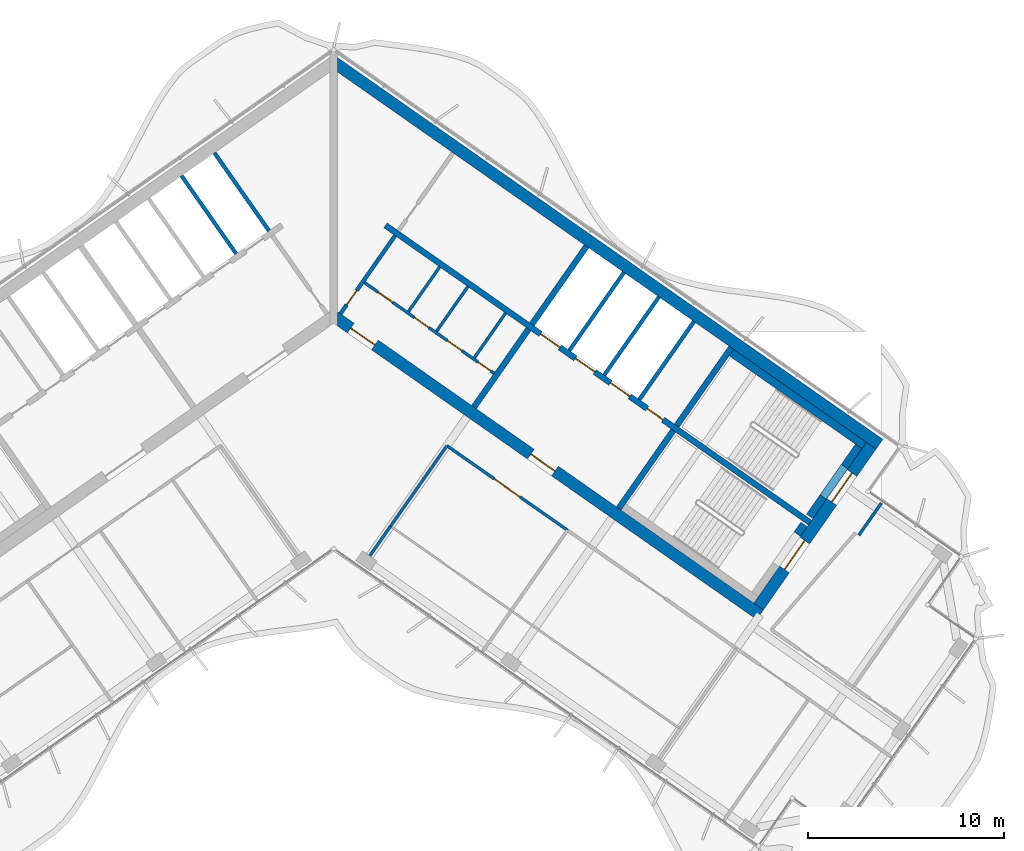
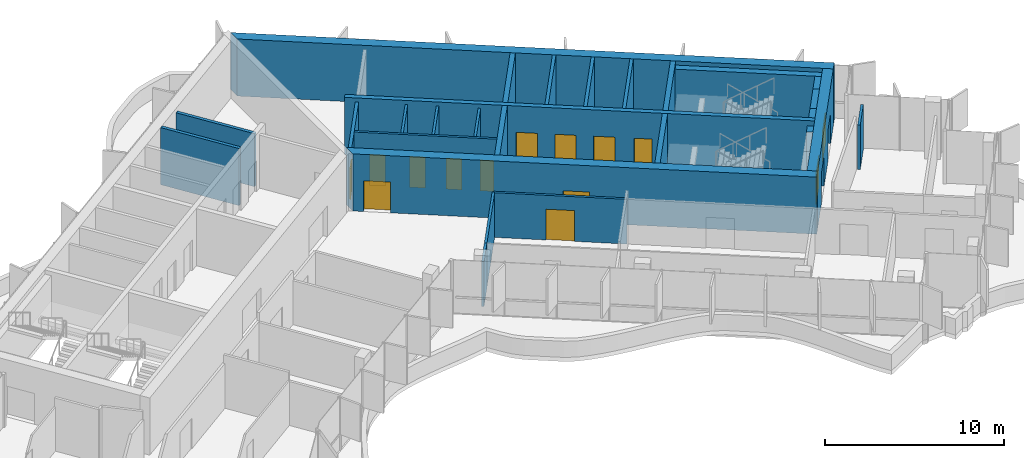
# One storey, part 13 of 20: 27 walls, 14 doors, 14 openings.
"""IFC4 building model written with IfcOpenShell, lengths in metres."""

from ifc_helpers import new_model, si_unit, direction, frame, frame_2d, origin, place, context, subcontext, project, spatial, polyline, rectangle, outline, extrude, material, layer, layer_set, type_object, element, fill, save


model = new_model("IFC4")

# Units and contexts
model_context = context("Model", 3, precision=1e-05, world=origin(), true_north=direction((0.0, 1.0)))
body_context = subcontext(model_context, "Body", "Model", "MODEL_VIEW")
ifc_project = project(units=[si_unit("LENGTHUNIT", "METRE"), si_unit("AREAUNIT", "SQUARE_METRE"), si_unit("VOLUMEUNIT", "CUBIC_METRE"), si_unit("PLANEANGLEUNIT", "RADIAN"), si_unit("MASSUNIT", "GRAM", prefix="KILO")], contexts=[model_context])

# Site, building, storey
site_placement = place(None, origin())
site = spatial("IfcSite", under=ifc_project, at=site_placement, CompositionType="ELEMENT")
building_placement = place(site_placement, origin())
building = spatial("IfcBuilding", under=site, at=building_placement, Name="Tel Ilan Convention Tower", CompositionType="ELEMENT")
storey_placement = place(building_placement, frame((0.0, 0.0, 229.300048828125)))
storey = spatial("IfcBuildingStorey", under=building, at=storey_placement, Name="L53", CompositionType="ELEMENT", Elevation=229.300048828125)

# Wall, openings, doors
ifc_material_1 = material(Name="Gypsum Plasterboard on Steel Stud", Category="steel")
ifc_layer_1 = layer(ifc_material_1, 0.14990234375)
ifc_layer_set_1 = layer_set([ifc_layer_1], Name="Core Room Partition Wall 150 mm EI 60")
wall_type_1 = type_object("IfcWallType", Name="Core Room Partition Wall 150 mm EI 60", PredefinedType="PARTITIONING", material=ifc_layer_set_1)
wall_1_placement = place(storey_placement, frame((1.572998046875, 0.851806640625, 0.0), z_axis=(0.0, 0.0, 1.0), x_axis=(0.819160673808, -0.573564111924, 0.0)))
wall_1 = element("IfcWall", 1, at=wall_1_placement, inside=storey, type_object=wall_type_1, Name="L53 core wall wc-h1", PredefinedType="PARTITIONING", context=body_context, shape_type="SweptSolid", body=[
    extrude(rectangle(XDim=8.050048828125, YDim=0.14990234375, at=frame_2d((4.02490234375, 0.0))), origin(), (0.0, 0.0, 1.0), 3.619873046875),
])
opening_1_placement = place(wall_1_placement, frame((0.85009765625, 0.0, 0.0)))
opening_1 = element("IfcOpeningElement", 2, at=opening_1_placement, cuts=wall_1, Name="Opening CD4214", PredefinedType="OPENING", context=body_context, shape_type="SweptSolid", body=[
    extrude(rectangle(XDim=0.89990234375, YDim=2.10009765625, at=frame_2d((0.449951171875, 1.050048828125))), frame((0.0, 0.0849609375, 0.0), z_axis=(0.0, -1.0, 0.0), x_axis=(1.0, 0.0, 0.0)), (0.0, 0.0, 1.0), 0.169921875),
])
opening_2_placement = place(wall_1_placement, frame((3.10009765625, 0.0, 0.0)))
opening_2 = element("IfcOpeningElement", 3, at=opening_2_placement, cuts=wall_1, Name="Opening CD4211", PredefinedType="OPENING", context=body_context, shape_type="SweptSolid", body=[
    extrude(rectangle(XDim=0.89990234375, YDim=2.10009765625, at=frame_2d((0.449951171875, 1.050048828125))), frame((0.0, 0.0849609375, 0.0), z_axis=(0.0, -1.0, 0.0), x_axis=(1.0, 0.0, 0.0)), (0.0, 0.0, 1.0), 0.169921875),
])
opening_3_placement = place(wall_1_placement, frame((5.14990234375, 0.0, 0.0)))
opening_3 = element("IfcOpeningElement", 4, at=opening_3_placement, cuts=wall_1, Name="Opening CD4213", PredefinedType="OPENING", context=body_context, shape_type="SweptSolid", body=[
    extrude(rectangle(XDim=0.89990234375, YDim=2.10009765625, at=frame_2d((0.449951171875, 1.050048828125))), frame((0.0, 0.0849609375, 0.0), z_axis=(0.0, -1.0, 0.0), x_axis=(1.0, 0.0, 0.0)), (0.0, 0.0, 1.0), 0.169921875),
])
opening_4_placement = place(wall_1_placement, frame((7.050048828125, 0.0, 0.0)))
opening_4 = element("IfcOpeningElement", 5, at=opening_4_placement, cuts=wall_1, Name="Opening CD4212", PredefinedType="OPENING", context=body_context, shape_type="SweptSolid", body=[
    extrude(rectangle(XDim=0.800048828125, YDim=2.10009765625, at=frame_2d((0.39990234375, 1.050048828125))), frame((0.0, 0.0849609375, 0.0), z_axis=(0.0, -1.0, 0.0), x_axis=(1.0, 0.0, 0.0)), (0.0, 0.0, 1.0), 0.169921875),
])
ifc_material_2 = material(Name="Galvanised Steel Door Leaf", Category="steel")
door_type_1 = type_object("IfcDoorType", Name="Store Door 800 x 2100 FD60", OperationType="NOTDEFINED", PredefinedType="DOOR", material=ifc_material_2)
door_1_placement = place(opening_4_placement, origin())
door_1 = element("IfcDoor", 6, at=door_1_placement, inside=storey, type_object=door_type_1, Name="Cleaner's store door", OperationType="SINGLE_SWING_RIGHT", OverallHeight=2.10009765625, OverallWidth=0.800048828125, PredefinedType="DOOR", context=body_context, shape_type="SweptSolid", body=[
    extrude(rectangle(XDim=0.800048828125, YDim=2.10009765625, at=frame_2d((0.39990234375, 1.050048828125))), frame((0.0, 0.02490234375, 0.0), z_axis=(0.0, -1.0, 0.0), x_axis=(1.0, 0.0, 0.0)), (0.0, 0.0, 1.0), 0.050048828125),
])
fill(opening_4, door_1)
ifc_material_3 = material(Name="Laminated Timber Door Leaf", Category="wood")
door_type_2 = type_object("IfcDoorType", Name="Toilet Door 900 x 2100 FD30S", OperationType="NOTDEFINED", PredefinedType="DOOR", material=ifc_material_3)
door_2_placement = place(opening_1_placement, origin())
door_2 = element("IfcDoor", 7, at=door_2_placement, inside=storey, type_object=door_type_2, Name="Women's WC door", OperationType="SINGLE_SWING_RIGHT", OverallHeight=2.10009765625, OverallWidth=0.89990234375, PredefinedType="DOOR", context=body_context, shape_type="SweptSolid", body=[
    extrude(rectangle(XDim=0.89990234375, YDim=2.10009765625, at=frame_2d((0.449951171875, 1.050048828125))), frame((0.0, 0.02490234375, 0.0), z_axis=(0.0, -1.0, 0.0), x_axis=(1.0, 0.0, 0.0)), (0.0, 0.0, 1.0), 0.050048828125),
])
fill(opening_1, door_2)
door_3_placement = place(opening_2_placement, origin())
door_3 = element("IfcDoor", 8, at=door_3_placement, inside=storey, type_object=door_type_2, Name="Accessible WC door", OperationType="SINGLE_SWING_RIGHT", OverallHeight=2.10009765625, OverallWidth=0.89990234375, PredefinedType="DOOR", context=body_context, shape_type="SweptSolid", body=[
    extrude(rectangle(XDim=0.89990234375, YDim=2.10009765625, at=frame_2d((0.449951171875, 1.050048828125))), frame((0.0, 0.02490234375, 0.0), z_axis=(0.0, -1.0, 0.0), x_axis=(1.0, 0.0, 0.0)), (0.0, 0.0, 1.0), 0.050048828125),
])
fill(opening_2, door_3)
door_4_placement = place(opening_3_placement, origin())
door_4 = element("IfcDoor", 9, at=door_4_placement, inside=storey, type_object=door_type_2, Name="Men's WC door", OperationType="SINGLE_SWING_RIGHT", OverallHeight=2.10009765625, OverallWidth=0.89990234375, PredefinedType="DOOR", context=body_context, shape_type="SweptSolid", body=[
    extrude(rectangle(XDim=0.89990234375, YDim=2.10009765625, at=frame_2d((0.449951171875, 1.050048828125))), frame((0.0, 0.02490234375, 0.0), z_axis=(0.0, -1.0, 0.0), x_axis=(1.0, 0.0, 0.0)), (0.0, 0.0, 1.0), 0.050048828125),
])
fill(opening_3, door_4)

# Walls
wall_2_placement = place(storey_placement, frame((3.807373046875, -0.62109375, 0.0), z_axis=(0.0, 0.0, 1.0), x_axis=(0.573539102583, 0.819178184407, 0.0)))
element("IfcWall", 10, at=wall_2_placement, inside=storey, type_object=wall_type_1, Name="L53 core wall wc-v0", PredefinedType="PARTITIONING", context=body_context, shape_type="SweptSolid", body=[
    extrude(rectangle(XDim=2.77490234375, YDim=0.14990234375, at=frame_2d((1.387451171875, 0.0))), origin(), (0.0, 0.0, 1.0), 3.619873046875),
])
for number, where, z_axis, x_axis, name in (
    (11, (5.24072265625, -1.625, 0.0), (0.0, 0.0, 1.0), (0.573598137089, 0.81913684884, 0.0), "L53 core wall wc-v1"),
    (12, (7.165771484375, -2.972900390625, 0.0), (0.0, 0.0, 1.0), (0.573598137089, 0.81913684884, 0.0), "L53 core wall wc-v2"),
):
    element("IfcWall", number, at=place(storey_placement, frame(where, z_axis=z_axis, x_axis=x_axis)), inside=storey, type_object=wall_type_1, Name=name, PredefinedType="PARTITIONING", context=body_context, shape_type="SweptSolid", body=[
        extrude(rectangle(XDim=2.775146484375, YDim=0.14990234375, at=frame_2d((1.3876953125, 0.0))), origin(), (0.0, 0.0, 1.0), 3.619873046875),
    ])
ifc_material_4 = material(Name="Concrete C30/37", Category="concrete")
ifc_layer_2 = layer(ifc_material_4, 0.199951171875)
ifc_layer_set_2 = layer_set([ifc_layer_2], Name="Core Service Room Wall 200 mm C30/37")
wall_type_2 = type_object("IfcWallType", Name="Core Service Room Wall 200 mm C30/37", PredefinedType="SOLIDWALL", material=ifc_layer_set_2)
wall_3_placement = place(storey_placement, frame((-3.2978515625, 3.489501953125, 0.0), z_axis=(0.0, 0.0, 1.0), x_axis=(-0.573560315113, 0.819163332265, 0.0)))
element("IfcWall", 13, at=wall_3_placement, inside=storey, type_object=wall_type_2, Name="L53 core wall apex-W-b", PredefinedType="SOLIDWALL", context=body_context, shape_type="SweptSolid", body=[
    extrude(rectangle(XDim=4.849853515625, YDim=0.199951171875, at=frame_2d((2.4248046875, 0.0))), origin(), (0.0, 0.0, 1.0), 3.619873046875),
])

# Wall, opening, door
wall_4_placement = place(storey_placement, frame((0.343994140625, -0.729248046875, 0.0), z_axis=(0.0, 0.0, 1.0), x_axis=(0.573560315113, 0.819163332265, 0.0)))
wall_4 = element("IfcWall", 14, at=wall_4_placement, inside=storey, type_object=wall_type_2, Name="L53 core wall apex-E", PredefinedType="SOLIDWALL", context=body_context, shape_type="SweptSolid", body=[
    extrude(rectangle(XDim=4.849853515625, YDim=0.199951171875, at=frame_2d((2.4248046875, 0.0))), origin(), (0.0, 0.0, 1.0), 3.619873046875),
])
opening_5_placement = place(wall_4_placement, frame((0.550048828125, 0.0, 0.0)))
opening_5 = element("IfcOpeningElement", 15, at=opening_5_placement, cuts=wall_4, Name="Opening CD4201", PredefinedType="OPENING", context=body_context, shape_type="SweptSolid", body=[
    extrude(rectangle(XDim=0.89990234375, YDim=2.10009765625, at=frame_2d((0.449951171875, 1.050048828125))), frame((0.0, 0.10986328125, 0.0), z_axis=(0.0, -1.0, 0.0), x_axis=(1.0, 0.0, 0.0)), (0.0, 0.0, 1.0), 0.219970703125),
])
ifc_material_5 = material(Name="Galvanised Steel Door Leaf", Category="steel")
door_type_3 = type_object("IfcDoorType", Name="Service Room Door 900 x 2100 FD60", OperationType="NOTDEFINED", PredefinedType="DOOR", material=ifc_material_5)
door_5_placement = place(opening_5_placement, origin())
door_5 = element("IfcDoor", 16, at=door_5_placement, inside=storey, type_object=door_type_3, Name="Data Room door", OperationType="SINGLE_SWING_RIGHT", OverallHeight=2.10009765625, OverallWidth=0.89990234375, PredefinedType="DOOR", context=body_context, shape_type="SweptSolid", body=[
    extrude(rectangle(XDim=0.89990234375, YDim=2.10009765625, at=frame_2d((0.449951171875, 1.050048828125))), frame((0.0, 0.02490234375, 0.0), z_axis=(0.0, -1.0, 0.0), x_axis=(1.0, 0.0, 0.0)), (0.0, 0.0, 1.0), 0.050048828125),
])
fill(opening_5, door_5)

# Walls
ifc_material_6 = material(Name="Concrete C40/50", Category="concrete")
ifc_layer_3 = layer(ifc_material_6, 0.300048828125)
ifc_layer_set_3 = layer_set([ifc_layer_3], Name="Core Shear Wall 300 mm C40/50")
wall_type_3 = type_object("IfcWallType", Name="Core Shear Wall 300 mm C40/50", PredefinedType="SHEAR", material=ifc_layer_set_3)
wall_5_placement = place(storey_placement, frame((7.142822265625, -5.48974609375, 0.0), z_axis=(0.0, 0.0, 1.0), x_axis=(0.573617744349, 0.819123118565, 0.0)))
element("IfcWall", 17, at=wall_5_placement, inside=storey, type_object=wall_type_3, Name="L53 core wall E-cross1-1", PredefinedType="SHEAR", context=body_context, shape_type="SweptSolid", body=[
    extrude(outline(polyline([(0.0, 0.14990234375), (0.0, -0.150146484375), (4.85009765625, -0.14990234375), (4.85009765625, 0.150146484375), (0.0, 0.14990234375)])), origin(), (0.0, 0.0, 1.0), 3.89990234375),
])
wall_6_placement = place(storey_placement, frame((10.096923828125, -1.271240234375, 0.0), z_axis=(0.0, 0.0, 1.0), x_axis=(0.573560315113, 0.819163332265, 0.0)))
element("IfcWall", 18, at=wall_6_placement, inside=storey, type_object=wall_type_3, Name="L53 core wall E-cross1-2", PredefinedType="SHEAR", context=body_context, shape_type="SweptSolid", body=[
    extrude(outline(polyline([(4.849853515625, -0.150146484375), (4.849853515625, 0.14990234375), (0.0, 0.150146484375), (0.0, -0.14990234375), (4.849853515625, -0.150146484375)])), origin(), (0.0, 0.0, 1.0), 3.89990234375),
])
wall_7_placement = place(storey_placement, frame((14.515380859375, -10.652099609375, 0.0), z_axis=(0.0, 0.0, 1.0), x_axis=(0.573560315113, 0.819163332265, 0.0)))
element("IfcWall", 19, at=wall_7_placement, inside=storey, type_object=wall_type_3, Name="L53 core wall E-cross2-1", PredefinedType="SHEAR", context=body_context, shape_type="SweptSolid", body=[
    extrude(outline(polyline([(0.0, 0.150146484375), (0.0, -0.14990234375), (4.85009765625, -0.14990234375), (4.85009765625, 0.14990234375), (0.0, 0.150146484375)])), origin(), (0.0, 0.0, 1.0), 3.89990234375),
])
wall_8_placement = place(storey_placement, frame((17.46923828125, -6.433349609375, 0.0), z_axis=(0.0, 0.0, 1.0), x_axis=(0.573594092424, 0.81913968109, 0.0)))
element("IfcWall", 20, at=wall_8_placement, inside=storey, type_object=wall_type_3, Name="L53 core wall E-cross2-2", PredefinedType="SHEAR", context=body_context, shape_type="SweptSolid", body=[
    extrude(outline(polyline([(4.849853515625, -0.14990234375), (4.849853515625, 0.150146484375), (0.0, 0.14990234375), (0.0, -0.14990234375), (4.849853515625, -0.14990234375)])), origin(), (0.0, 0.0, 1.0), 3.89990234375),
])

# Wall, openings, doors
wall_9_placement = place(storey_placement, frame((2.638427734375, 3.76806640625, 0.0), z_axis=(0.0, 0.0, 1.0), x_axis=(0.819155014212, -0.573572194837, 0.0)))
wall_9 = element("IfcWall", 21, at=wall_9_placement, inside=storey, type_object=wall_type_3, Name="L53 core wall E-spine", PredefinedType="SHEAR", context=body_context, shape_type="SweptSolid", body=[
    extrude(outline(polyline([(0.0, 0.150146484375), (0.0, -0.14990234375), (26.39990234375, -0.150146484375), (26.39990234375, 0.14990234375), (0.0, 0.150146484375)])), origin(), (0.0, 0.0, 1.0), 3.89990234375),
])
opening_6_placement = place(wall_9_placement, frame((9.637451171875, 0.0, 0.0)))
opening_6 = element("IfcOpeningElement", 22, at=opening_6_placement, cuts=wall_9, Name="Opening LD4201", PredefinedType="OPENING", context=body_context, shape_type="SweptSolid", body=[
    extrude(rectangle(XDim=1.199951171875, YDim=2.10009765625, at=frame_2d((0.60009765625, 1.050048828125))), frame((0.0, 0.159912109375, 0.0), z_axis=(0.0, -1.0, 0.0), x_axis=(1.0, 0.0, 0.0)), (0.0, 0.0, 1.0), 0.320068359375),
])
opening_7_placement = place(wall_9_placement, frame((11.8125, 0.0, 0.0)))
opening_7 = element("IfcOpeningElement", 23, at=opening_7_placement, cuts=wall_9, Name="Opening LD4202", PredefinedType="OPENING", context=body_context, shape_type="SweptSolid", body=[
    extrude(rectangle(XDim=1.199951171875, YDim=2.10009765625, at=frame_2d((0.60009765625, 1.050048828125))), frame((0.0, 0.159912109375, 0.0), z_axis=(0.0, -1.0, 0.0), x_axis=(1.0, 0.0, 0.0)), (0.0, 0.0, 1.0), 0.320068359375),
])
opening_8_placement = place(wall_9_placement, frame((13.987548828125, 0.0, 0.0)))
opening_8 = element("IfcOpeningElement", 24, at=opening_8_placement, cuts=wall_9, Name="Opening LD4203", PredefinedType="OPENING", context=body_context, shape_type="SweptSolid", body=[
    extrude(rectangle(XDim=1.199951171875, YDim=2.10009765625, at=frame_2d((0.60009765625, 1.050048828125))), frame((0.0, 0.159912109375, 0.0), z_axis=(0.0, -1.0, 0.0), x_axis=(1.0, 0.0, 0.0)), (0.0, 0.0, 1.0), 0.320068359375),
])
opening_9_placement = place(wall_9_placement, frame((16.262451171875, 0.0, 0.0)))
opening_9 = element("IfcOpeningElement", 25, at=opening_9_placement, cuts=wall_9, Name="Opening CD4208", PredefinedType="OPENING", context=body_context, shape_type="SweptSolid", body=[
    extrude(rectangle(XDim=1.0, YDim=2.10009765625, at=frame_2d((0.5, 1.050048828125))), frame((0.0, 0.159912109375, 0.0), z_axis=(0.0, -1.0, 0.0), x_axis=(1.0, 0.0, 0.0)), (0.0, 0.0, 1.0), 0.320068359375),
])
ifc_material_7 = material(Name="Stainless Steel Sliding Door Leaf", Category="steel")
door_type_4 = type_object("IfcDoorType", Name="Lift Landing Door 1200 x 2100 FD120", OperationType="NOTDEFINED", PredefinedType="DOOR", material=ifc_material_7)
door_6_placement = place(opening_6_placement, origin())
door_6 = element("IfcDoor", 26, at=door_6_placement, inside=storey, type_object=door_type_4, Name="Lift FL1 landing door", OperationType="SLIDING_TO_LEFT", OverallHeight=2.10009765625, OverallWidth=1.199951171875, PredefinedType="DOOR", context=body_context, shape_type="SweptSolid", body=[
    extrude(rectangle(XDim=1.199951171875, YDim=2.10009765625, at=frame_2d((0.60009765625, 1.050048828125))), frame((0.0, 0.02490234375, 0.0), z_axis=(0.0, -1.0, 0.0), x_axis=(1.0, 0.0, 0.0)), (0.0, 0.0, 1.0), 0.050048828125),
])
fill(opening_6, door_6)
door_7_placement = place(opening_7_placement, origin())
door_7 = element("IfcDoor", 27, at=door_7_placement, inside=storey, type_object=door_type_4, Name="Lift FL2 landing door", OperationType="SLIDING_TO_RIGHT", OverallHeight=2.10009765625, OverallWidth=1.199951171875, PredefinedType="DOOR", context=body_context, shape_type="SweptSolid", body=[
    extrude(rectangle(XDim=1.199951171875, YDim=2.10009765625, at=frame_2d((0.60009765625, 1.050048828125))), frame((0.0, 0.02490234375, 0.0), z_axis=(0.0, -1.0, 0.0), x_axis=(1.0, 0.0, 0.0)), (0.0, 0.0, 1.0), 0.050048828125),
])
fill(opening_7, door_7)
door_8_placement = place(opening_8_placement, origin())
door_8 = element("IfcDoor", 28, at=door_8_placement, inside=storey, type_object=door_type_4, Name="Lift FL3 landing door", OperationType="SLIDING_TO_LEFT", OverallHeight=2.10009765625, OverallWidth=1.199951171875, PredefinedType="DOOR", context=body_context, shape_type="SweptSolid", body=[
    extrude(rectangle(XDim=1.199951171875, YDim=2.10009765625, at=frame_2d((0.60009765625, 1.050048828125))), frame((0.0, 0.02490234375, 0.0), z_axis=(0.0, -1.0, 0.0), x_axis=(1.0, 0.0, 0.0)), (0.0, 0.0, 1.0), 0.050048828125),
])
fill(opening_8, door_8)
ifc_material_8 = material(Name="Galvanised Steel Door Leaf", Category="steel")
door_type_5 = type_object("IfcDoorType", Name="Service Room Door 1000 x 2100 FD60", OperationType="NOTDEFINED", PredefinedType="DOOR", material=ifc_material_8)
door_9_placement = place(opening_9_placement, origin())
door_9 = element("IfcDoor", 29, at=door_9_placement, inside=storey, type_object=door_type_5, Name="Plant Room door", OperationType="SINGLE_SWING_RIGHT", OverallHeight=2.10009765625, OverallWidth=1.0, PredefinedType="DOOR", context=body_context, shape_type="SweptSolid", body=[
    extrude(rectangle(XDim=1.0, YDim=2.10009765625, at=frame_2d((0.5, 1.050048828125))), frame((0.0, 0.02490234375, 0.0), z_axis=(0.0, -1.0, 0.0), x_axis=(1.0, 0.0, 0.0)), (0.0, 0.0, 1.0), 0.050048828125),
])
fill(opening_9, door_9)

# Wall
ifc_material_9 = material(Name="Concrete C40/50", Category="concrete")
ifc_layer_4 = layer(ifc_material_9, 0.60009765625)
ifc_layer_set_4 = layer_set([ifc_layer_4], Name="Core Shear Wall 600 mm C40/50")
wall_type_4 = type_object("IfcWallType", Name="Core Shear Wall 600 mm C40/50", PredefinedType="SHEAR", material=ifc_layer_set_4)
wall_10_placement = place(storey_placement, frame((0.02783203125, 12.066162109375, 0.0), z_axis=(0.0, 0.0, 1.0), x_axis=(0.819151382952, -0.573577380837, 0.0)))
element("IfcWall", 30, at=wall_10_placement, inside=storey, type_object=wall_type_4, Name="L53 core wall E-back", PredefinedType="SHEAR", context=body_context, shape_type="SweptSolid", body=[
    extrude(outline(polyline([(33.898193359375, 0.300048828125), (0.0, 0.300048828125), (0.420166015625, -0.300048828125), (33.89794921875, -0.300048828125), (33.898193359375, 0.300048828125)])), origin(), (0.0, 0.0, 1.0), 3.89990234375),
])

# Wall, openings, doors
wall_11_placement = place(storey_placement, frame((0.02783203125, -0.8740234375, 0.0), z_axis=(0.0, 0.0, 1.0), x_axis=(0.819150035022, -0.573579305871, 0.0)))
wall_11 = element("IfcWall", 31, at=wall_11_placement, inside=storey, type_object=wall_type_4, Name="L53 core wall E-front", PredefinedType="SHEAR", context=body_context, shape_type="SweptSolid", body=[
    extrude(outline(polyline([(26.475830078125, 0.300048828125), (0.000244140625, 0.300048828125), (0.420166015625, -0.300048828125), (26.475830078125, -0.2998046875), (26.475830078125, 0.300048828125)])), origin(), (0.0, 0.0, 1.0), 3.89990234375),
])
opening_10_placement = place(wall_11_placement, frame((1.02587890625, 0.0, 0.0)))
opening_10 = element("IfcOpeningElement", 32, at=opening_10_placement, cuts=wall_11, Name="Opening CD4204", PredefinedType="OPENING", context=body_context, shape_type="SweptSolid", body=[
    extrude(rectangle(XDim=1.5, YDim=2.10009765625, at=frame_2d((0.75, 1.050048828125))), frame((0.0, 0.31005859375, 0.0), z_axis=(0.0, -1.0, 0.0), x_axis=(1.0, 0.0, 0.0)), (0.0, 0.0, 1.0), 0.6201171875),
])
opening_11_placement = place(wall_11_placement, frame((12.225830078125, 0.0, 0.0)))
opening_11 = element("IfcOpeningElement", 33, at=opening_11_placement, cuts=wall_11, Name="Opening CD4205", PredefinedType="OPENING", context=body_context, shape_type="SweptSolid", body=[
    extrude(rectangle(XDim=1.5, YDim=2.10009765625, at=frame_2d((0.75, 1.050048828125))), frame((0.0, 0.31005859375, 0.0), z_axis=(0.0, -1.0, 0.0), x_axis=(1.0, 0.0, 0.0)), (0.0, 0.0, 1.0), 0.6201171875),
])
ifc_material_10 = material(Name="Glazed Aluminium Door Leaf", Category="aluminium")
door_type_6 = type_object("IfcDoorType", Name="Lobby Opening Door 1500 x 2100 FD60S", OperationType="NOTDEFINED", PredefinedType="DOOR", material=ifc_material_10)
door_10_placement = place(opening_11_placement, origin())
door_10 = element("IfcDoor", 34, at=door_10_placement, inside=storey, type_object=door_type_6, Name="Firefighting Lobby door", OperationType="DOUBLE_DOOR_SINGLE_SWING", OverallHeight=2.10009765625, OverallWidth=1.5, PredefinedType="DOOR", context=body_context, shape_type="SweptSolid", body=[
    extrude(rectangle(XDim=1.5, YDim=2.10009765625, at=frame_2d((0.75, 1.050048828125))), frame((0.0, 0.02490234375, 0.0), z_axis=(0.0, -1.0, 0.0), x_axis=(1.0, 0.0, 0.0)), (0.0, 0.0, 1.0), 0.050048828125),
])
fill(opening_11, door_10)
ifc_material_11 = material(Name="Laminated Timber Door Leaf", Category="wood")
door_type_7 = type_object("IfcDoorType", Name="Toilet Door 1500 x 2100 FD30S", OperationType="NOTDEFINED", PredefinedType="DOOR", material=ifc_material_11)
door_11_placement = place(opening_10_placement, origin())
door_11 = element("IfcDoor", 35, at=door_11_placement, inside=storey, type_object=door_type_7, Name="WC Lobby door", OperationType="SINGLE_SWING_RIGHT", OverallHeight=2.10009765625, OverallWidth=1.5, PredefinedType="DOOR", context=body_context, shape_type="SweptSolid", body=[
    extrude(rectangle(XDim=1.5, YDim=2.10009765625, at=frame_2d((0.75, 1.050048828125))), frame((0.0, 0.02490234375, 0.0), z_axis=(0.0, -1.0, 0.0), x_axis=(1.0, 0.0, 0.0)), (0.0, 0.0, 1.0), 0.050048828125),
])
fill(opening_10, door_11)

wall_12_placement = place(storey_placement, frame((21.641845703125, -15.64208984375, 0.0), z_axis=(0.0, 0.0, 1.0), x_axis=(0.573586866468, 0.819144740944, 0.0)))
wall_12 = element("IfcWall", 36, at=wall_12_placement, inside=storey, type_object=wall_type_4, Name="L53 core wall E-end", PredefinedType="SHEAR", context=body_context, shape_type="SweptSolid", body=[
    extrude(outline(polyline([(10.0, 0.300048828125), (0.0, 0.2998046875), (0.0, -0.300048828125), (10.0, -0.300048828125), (10.0, 0.300048828125)])), origin(), (0.0, 0.0, 1.0), 3.89990234375),
])
opening_12_placement = place(wall_12_placement, frame((6.5, 0.0, 0.0)))
opening_12 = element("IfcOpeningElement", 37, at=opening_12_placement, cuts=wall_12, Name="Opening SD4203", PredefinedType="OPENING", context=body_context, shape_type="SweptSolid", body=[
    extrude(rectangle(XDim=1.800048828125, YDim=2.10009765625, at=frame_2d((0.89990234375, 1.050048828125))), frame((0.0, 0.31005859375, 0.0), z_axis=(0.0, -1.0, 0.0), x_axis=(1.0, 0.0, 0.0)), (0.0, 0.0, 1.0), 0.6201171875),
])
opening_13_placement = place(wall_12_placement, frame((2.300048828125, 0.0, 0.0)))
opening_13 = element("IfcOpeningElement", 38, at=opening_13_placement, cuts=wall_12, Name="Opening SD4204", PredefinedType="OPENING", context=body_context, shape_type="SweptSolid", body=[
    extrude(rectangle(XDim=1.800048828125, YDim=2.10009765625, at=frame_2d((0.89990234375, 1.050048828125))), frame((0.0, 0.31005859375, 0.0), z_axis=(0.0, -1.0, 0.0), x_axis=(1.0, 0.0, 0.0)), (0.0, 0.0, 1.0), 0.6201171875),
])
ifc_material_12 = material(Name="Galvanised Steel Door Leaf", Category="steel")
door_type_8 = type_object("IfcDoorType", Name="Stair Fire Door 1800 x 2100 FD60S", OperationType="NOTDEFINED", PredefinedType="DOOR", material=ifc_material_12)
door_12_placement = place(opening_12_placement, origin())
door_12 = element("IfcDoor", 39, at=door_12_placement, inside=storey, type_object=door_type_8, Name="Stair S3 door", OperationType="DOUBLE_DOOR_SINGLE_SWING", OverallHeight=2.10009765625, OverallWidth=1.800048828125, PredefinedType="DOOR", context=body_context, shape_type="SweptSolid", body=[
    extrude(rectangle(XDim=1.800048828125, YDim=2.10009765625, at=frame_2d((0.89990234375, 1.050048828125))), frame((0.0, 0.02490234375, 0.0), z_axis=(0.0, -1.0, 0.0), x_axis=(1.0, 0.0, 0.0)), (0.0, 0.0, 1.0), 0.050048828125),
])
fill(opening_12, door_12)
door_13_placement = place(opening_13_placement, origin())
door_13 = element("IfcDoor", 40, at=door_13_placement, inside=storey, type_object=door_type_8, Name="Stair S4 door", OperationType="DOUBLE_DOOR_SINGLE_SWING", OverallHeight=2.10009765625, OverallWidth=1.800048828125, PredefinedType="DOOR", context=body_context, shape_type="SweptSolid", body=[
    extrude(rectangle(XDim=1.800048828125, YDim=2.10009765625, at=frame_2d((0.89990234375, 1.050048828125))), frame((0.0, 0.02490234375, 0.0), z_axis=(0.0, -1.0, 0.0), x_axis=(1.0, 0.0, 0.0)), (0.0, 0.0, 1.0), 0.050048828125),
])
fill(opening_13, door_13)

# Wall, opening, door
ifc_material_13 = material(Name="Plasterboard on Steel Studs", Category="steel")
ifc_layer_5 = layer(ifc_material_13, 0.14990234375)
ifc_layer_set_5 = layer_set([ifc_layer_5], Name="Fire-rated Partition 150 EI 60")
wall_type_5 = type_object("IfcWallType", Name="Fire-rated Partition 150 EI 60", PredefinedType="PARTITIONING", material=ifc_layer_set_5)
wall_13_placement = place(storey_placement, frame((11.91162109375, -11.7587890625, 0.0), z_axis=(0.0, 0.0, 1.0), x_axis=(-0.819150881364, 0.573578097177, 0.0)))
wall_13 = element("IfcWall", 41, at=wall_13_placement, inside=storey, type_object=wall_type_5, Name="Partition 003", PredefinedType="PARTITIONING", context=body_context, shape_type="SweptSolid", body=[
    extrude(rectangle(XDim=7.501953125, YDim=0.14990234375, at=frame_2d((3.7509765625, 0.0))), origin(), (0.0, 0.0, 1.0), 3.050048828125),
])
opening_14_placement = place(wall_13_placement, frame((2.950927734375, 0.0, 0.0)))
opening_14 = element("IfcOpeningElement", 42, at=opening_14_placement, cuts=wall_13, Name="Opening L53-009", PredefinedType="OPENING", context=body_context, shape_type="SweptSolid", body=[
    extrude(rectangle(XDim=1.60009765625, YDim=2.10009765625, at=frame_2d((0.800048828125, 1.050048828125))), frame((0.0, 0.0849609375, 0.0), z_axis=(0.0, -1.0, 0.0), x_axis=(1.0, 0.0, 0.0)), (0.0, 0.0, 1.0), 0.169921875),
])
ifc_material_14 = material(Name="Timber Door Leaf in Steel Frame", Category="steel")
door_type_9 = type_object("IfcDoorType", Name="Tenant Suite Entrance Fire Door 1600x2100", OperationType="NOTDEFINED", PredefinedType="DOOR", material=ifc_material_14)
door_14_placement = place(opening_14_placement, origin())
door_14 = element("IfcDoor", 43, at=door_14_placement, inside=storey, type_object=door_type_9, Name="Door L53-009", OperationType="DOUBLE_DOOR_SINGLE_SWING", OverallHeight=2.10009765625, OverallWidth=1.60009765625, PredefinedType="DOOR", context=body_context, shape_type="SweptSolid", body=[
    extrude(rectangle(XDim=1.60009765625, YDim=2.10009765625, at=frame_2d((0.800048828125, 1.050048828125))), frame((0.0, 0.02490234375, 0.0), z_axis=(0.0, -1.0, 0.0), x_axis=(1.0, 0.0, 0.0)), (0.0, 0.0, 1.0), 0.050048828125),
])
fill(opening_14, door_14)

# Walls
wall_14_placement = place(storey_placement, frame((26.74609375, -12.013671875, 0.0), z_axis=(0.0, 0.0, 1.0), x_axis=(0.573568836472, 0.819157365729, 0.0)))
element("IfcWall", 44, at=wall_14_placement, inside=storey, type_object=wall_type_5, Name="Partition 015", PredefinedType="PARTITIONING", context=body_context, shape_type="SweptSolid", body=[
    extrude(rectangle(XDim=2.000244140625, YDim=0.14990234375, at=frame_2d((1.0, 0.0))), origin(), (0.0, 0.0, 1.0), 3.050048828125),
])
wall_15_placement = place(storey_placement, frame((1.848876953125, -13.050537109375, 0.0), z_axis=(0.0, 0.0, 1.0), x_axis=(0.573623601139, 0.819119017125, 0.0)))
element("IfcWall", 45, at=wall_15_placement, inside=storey, type_object=wall_type_5, Name="Partition 018", PredefinedType="PARTITIONING", context=body_context, shape_type="SweptSolid", body=[
    extrude(rectangle(XDim=1.828857421875, YDim=0.14990234375, at=frame_2d((0.91455078125, 0.0))), origin(), (0.0, 0.0, 1.0), 3.050048828125),
])
wall_16_placement = place(storey_placement, frame((2.8984375, -11.551513671875, 0.0), z_axis=(0.0, 0.0, 1.0), x_axis=(0.573586866468, 0.819144740944, 0.0)))
element("IfcWall", 46, at=wall_16_placement, inside=storey, type_object=wall_type_5, Name="Partition 020", PredefinedType="PARTITIONING", context=body_context, shape_type="SweptSolid", body=[
    extrude(rectangle(XDim=5.0, YDim=0.14990234375, at=frame_2d((2.5, 0.0))), origin(), (0.0, 0.0, 1.0), 3.050048828125),
])
ifc_material_15 = material(Name="Concrete C30/37", Category="concrete")
ifc_layer_6 = layer(ifc_material_15, 0.199951171875)
ifc_layer_set_6 = layer_set([ifc_layer_6], Name="Lift Shaft Wall 200 mm C30/37")
wall_type_6 = type_object("IfcWallType", Name="Lift Shaft Wall 200 mm C30/37", PredefinedType="SOLIDWALL", material=ifc_layer_set_6)
wall_17_placement = place(storey_placement, frame((-4.966796875, 2.32080078125, 0.0), z_axis=(0.0, 0.0, 1.0), x_axis=(-0.573594092424, 0.81913968109, 0.0)))
element("IfcWall", 47, at=wall_17_placement, inside=storey, type_object=wall_type_6, Name="L53 core wall bank-W1-p0", PredefinedType="SOLIDWALL", context=body_context, shape_type="SweptSolid", body=[
    extrude(rectangle(XDim=4.85009765625, YDim=0.199951171875, at=frame_2d((2.425048828125, 0.0))), origin(), (0.0, 0.0, 1.0), 3.89990234375),
])
wall_18_placement = place(storey_placement, frame((12.00146484375, -2.604736328125, 0.0), z_axis=(0.0, 0.0, 1.0), x_axis=(0.573560315113, 0.819163332265, 0.0)))
element("IfcWall", 48, at=wall_18_placement, inside=storey, type_object=wall_type_6, Name="L53 core wall bank-E2-p0", PredefinedType="SOLIDWALL", context=body_context, shape_type="SweptSolid", body=[
    extrude(rectangle(XDim=4.849853515625, YDim=0.199951171875, at=frame_2d((2.4248046875, 0.0))), origin(), (0.0, 0.0, 1.0), 3.89990234375),
])
wall_19_placement = place(storey_placement, frame((13.782958984375, -3.852294921875, 0.0), z_axis=(0.0, 0.0, 1.0), x_axis=(0.573594092424, 0.81913968109, 0.0)))
element("IfcWall", 49, at=wall_19_placement, inside=storey, type_object=wall_type_6, Name="L53 core wall bank-E2-p1", PredefinedType="SOLIDWALL", context=body_context, shape_type="SweptSolid", body=[
    extrude(rectangle(XDim=4.85009765625, YDim=0.199951171875, at=frame_2d((2.425048828125, 0.0))), origin(), (0.0, 0.0, 1.0), 3.89990234375),
])
wall_20_placement = place(storey_placement, frame((15.564697265625, -5.099853515625, 0.0), z_axis=(0.0, 0.0, 1.0), x_axis=(0.573560315113, 0.819163332265, 0.0)))
element("IfcWall", 50, at=wall_20_placement, inside=storey, type_object=wall_type_6, Name="L53 core wall bank-E2-p2", PredefinedType="SOLIDWALL", context=body_context, shape_type="SweptSolid", body=[
    extrude(rectangle(XDim=4.849853515625, YDim=0.199951171875, at=frame_2d((2.4248046875, 0.0))), origin(), (0.0, 0.0, 1.0), 3.89990234375),
])
ifc_material_16 = material(Name="Concrete C30/37", Category="concrete")
ifc_layer_7 = layer(ifc_material_16, 0.39990234375)
ifc_layer_set_7 = layer_set([ifc_layer_7], Name="Stair and Shaft Lining Wall 400 mm C30/37")
wall_type_7 = type_object("IfcWallType", Name="Stair and Shaft Lining Wall 400 mm C30/37", PredefinedType="SOLIDWALL", material=ifc_layer_set_7)
wall_21_placement = place(storey_placement, frame((20.25927734375, -2.71044921875, 0.0), z_axis=(0.0, 0.0, 1.0), x_axis=(0.81914849389, -0.573581506813, 0.0)))
element("IfcWall", 51, at=wall_21_placement, inside=storey, type_object=wall_type_7, Name="L53 core wall lining-S3-t1", PredefinedType="SOLIDWALL", context=body_context, shape_type="SweptSolid", body=[
    extrude(rectangle(XDim=8.249755859375, YDim=0.39990234375, at=frame_2d((4.125, 0.0))), origin(), (0.0, 0.0, 1.0), 3.619873046875),
])
wall_22_placement = place(storey_placement, frame((24.24365234375, -11.0546875, 0.0), z_axis=(0.0, 0.0, 1.0), x_axis=(0.573571582932, 0.819155442668, 0.0)))
element("IfcWall", 52, at=wall_22_placement, inside=storey, type_object=wall_type_7, Name="L53 core wall lining-S3-u1-0", PredefinedType="SOLIDWALL", context=body_context, shape_type="SweptSolid", body=[
    extrude(rectangle(XDim=1.199951171875, YDim=0.39990234375, at=frame_2d((0.60009765625, 0.0))), origin(), (0.0, 0.0, 1.0), 3.619873046875),
])
wall_23_placement = place(storey_placement, frame((26.021728515625, -8.515380859375, 0.0), z_axis=(0.0, 0.0, 1.0), x_axis=(0.573619628835, 0.819121798889, 0.0)))
element("IfcWall", 53, at=wall_23_placement, inside=storey, type_object=wall_type_7, Name="L53 core wall lining-S3-u1-1", PredefinedType="SOLIDWALL", context=body_context, shape_type="SweptSolid", body=[
    extrude(rectangle(XDim=1.25, YDim=0.39990234375, at=frame_2d((0.625, 0.0))), origin(), (0.0, 0.0, 1.0), 3.619873046875),
])
wall_24_placement = place(storey_placement, frame((24.931884765625, -10.07177734375, 2.14990234375), z_axis=(0.0, 0.0, 1.0), x_axis=(0.573591692345, 0.819141361715, 0.0)))
element("IfcWall", 54, at=wall_24_placement, inside=storey, type_object=wall_type_7, Name="L53 core wall lining-S3-u1-lintel", PredefinedType="SOLIDWALL", context=body_context, shape_type="SweptSolid", body=[
    extrude(rectangle(XDim=1.900146484375, YDim=0.39990234375, at=frame_2d((0.9501953125, 0.0))), origin(), (0.0, 0.0, 1.0), 1.469970703125),
])
wall_25_placement = place(storey_placement, frame((23.61279296875, -11.955810546875, 0.0), z_axis=(0.0, 0.0, 1.0), x_axis=(0.573435029941, 0.819251039936, 0.0)))
element("IfcWall", 55, at=wall_25_placement, inside=storey, type_object=wall_type_7, Name="L53 core wall lining-S4-u1-1", PredefinedType="SOLIDWALL", context=body_context, shape_type="SweptSolid", body=[
    extrude(rectangle(XDim=0.599853515625, YDim=0.39990234375, at=frame_2d((0.2998046875, 0.0))), origin(), (0.0, 0.0, 1.0), 3.619873046875),
])

save(model, "model.ifc")
